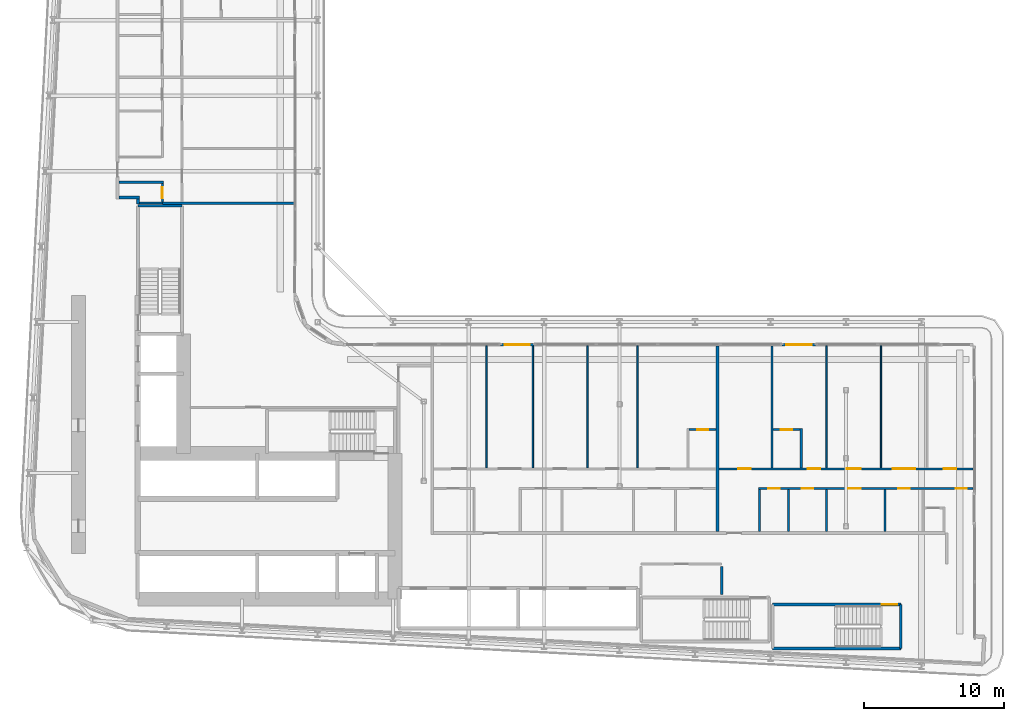
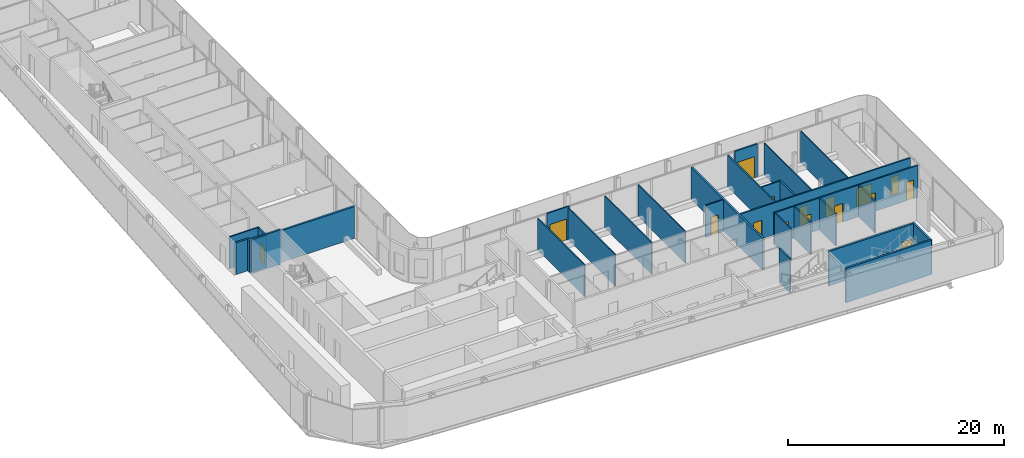
# One storey, part 15 of 27: 30 walls, 16 doors, 16 openings.
"""IFC4 building model written with IfcOpenShell, lengths in metres."""

import ifcopenshell
import ifcopenshell.guid

model = None  # the IFC model being written
_history = None  # IfcOwnerHistory: only IFC2X3 demands one
_inside = {}  # id of a spatial element -> (the spatial element, [elements in it])
_under = {}  # id of a project, library or spatial element -> (it, [spatial elements below it])
_declared = {}  # id of a project -> (the project, [libraries it declares])
_typed = {}  # id of a type object -> (the type object, [elements of that type])
_made_of = {}  # id of a material, layer set ... -> (it, [elements and type objects made of it])


def new_model(schema):
    """Start an empty IFC model of exactly this schema.

    Asked for "IFC4X3", IfcOpenShell would pick the latest addendum, in which some entities
    have other attributes; the version numbers below select the first issue.
    IFC2X3 requires an IfcOwnerHistory on every rooted entity: one is made here for all.
    """
    global model, _history
    if schema == "IFC4X3":
        model = ifcopenshell.file(schema_version=(4, 3, 0, 0))
    else:
        model = ifcopenshell.file(schema=schema)
    _inside.clear()
    _under.clear()
    _declared.clear()
    _typed.clear()
    _made_of.clear()
    _history = None
    if model.schema == "IFC2X3":
        org = make("IfcOrganization", Name="unknown")
        user = make(
            "IfcPersonAndOrganization",
            ThePerson=make("IfcPerson", FamilyName="unknown"),
            TheOrganization=org,
        )
        app = make(
            "IfcApplication",
            ApplicationDeveloper=org,
            Version="unknown",
            ApplicationFullName="unknown",
            ApplicationIdentifier="unknown",
        )
        _history = make(
            "IfcOwnerHistory",
            OwningUser=user,
            OwningApplication=app,
            ChangeAction="ADDED",
            CreationDate=0,
        )
    return model


def make(cls, **values):
    """One entity of the class cls with the attributes given. An attribute that is None is left unset."""
    return model.create_entity(
        cls, **{name: value for name, value in values.items() if value is not None}
    )


def rooted(cls, **values):
    """An entity with a GlobalId (a new one), such as an element, a storey or a relation."""
    return make(cls, GlobalId=ifcopenshell.guid.new(), OwnerHistory=_history, **values)


def si_unit(unit_type, name, prefix=None):
    """IfcSIUnit, for example si_unit("LENGTHUNIT", "METRE", prefix="MILLI")."""
    return make("IfcSIUnit", UnitType=unit_type, Prefix=prefix, Name=name)


def assignment(units):
    """IfcUnitAssignment: the units of a project."""
    return None if units is None else make("IfcUnitAssignment", Units=units)


def point(xyz):
    """IfcCartesianPoint."""
    return None if xyz is None else make("IfcCartesianPoint", Coordinates=xyz)


def direction(xyz):
    """IfcDirection."""
    return None if xyz is None else make("IfcDirection", DirectionRatios=xyz)


def frame(location, z_axis=None, x_axis=None):
    """IfcAxis2Placement3D, a coordinate frame: its origin and axes. An axis left out is left unset."""
    return make(
        "IfcAxis2Placement3D",
        Location=point(location),
        Axis=direction(z_axis),
        RefDirection=direction(x_axis),
    )


def frame_2d(location, x_axis=None):
    """IfcAxis2Placement2D, a coordinate frame in the plane: its origin and x axis."""
    return make(
        "IfcAxis2Placement2D", Location=point(location), RefDirection=direction(x_axis)
    )


def origin():
    """The frame at (0, 0, 0) with its axes left unset."""
    return frame((0.0, 0.0, 0.0))


def place(relative_to, where):
    """IfcLocalPlacement: puts the frame where relative to a parent placement (None: the world)."""
    return make(
        "IfcLocalPlacement", PlacementRelTo=relative_to, RelativePlacement=where
    )


def context(
    kind, dimensions, precision=None, world=None, true_north=None, identifier=None
):
    """IfcGeometricRepresentationContext, for example the 3D "Model" context."""
    return make(
        "IfcGeometricRepresentationContext",
        ContextIdentifier=identifier,
        ContextType=kind,
        CoordinateSpaceDimension=dimensions,
        Precision=precision,
        WorldCoordinateSystem=world,
        TrueNorth=true_north,
    )


def subcontext(parent, identifier, kind, view, scale=None):
    """IfcGeometricRepresentationSubContext, for example "Body" below "Model"."""
    return make(
        "IfcGeometricRepresentationSubContext",
        ContextIdentifier=identifier,
        ContextType=kind,
        ParentContext=parent,
        TargetScale=scale,
        TargetView=view,
    )


def project(units=None, contexts=None):
    """IfcProject with its units and contexts."""
    return rooted(
        "IfcProject",
        Name="project",
        RepresentationContexts=contexts,
        UnitsInContext=assignment(units),
    )


def spatial(cls, under=None, at=None, **own):
    """A site, building, storey or space (cls), placed at a placement, below another one or the project."""
    s = rooted(cls, ObjectPlacement=at, **own)
    if under is not None:
        _under.setdefault(under.id(), (under, []))[1].append(s)
    return s


def profile(cls, at=None, kind="AREA", **sizes):
    """A parametric profile (cls). Its sizes go by their IFC names, for example OverallWidth=200.0."""
    return make(cls, ProfileType=kind, Position=at, **sizes)


def rectangle(**sizes):
    """IfcRectangleProfileDef."""
    return profile("IfcRectangleProfileDef", **sizes)


def extrude(swept, where, along, depth):
    """IfcExtrudedAreaSolid: the profile swept, set in the frame where, extruded along a direction by depth."""
    return make(
        "IfcExtrudedAreaSolid",
        SweptArea=swept,
        Position=where,
        ExtrudedDirection=direction(along),
        Depth=depth,
    )


def shape(context_of_items, identifier, shape_type, items):
    """IfcShapeRepresentation: the items that make up one representation, for example the "Body"."""
    return make(
        "IfcShapeRepresentation",
        ContextOfItems=context_of_items,
        RepresentationIdentifier=identifier,
        RepresentationType=shape_type,
        Items=items,
    )


def source(mapping_origin, context_of_items, identifier, shape_type, items):
    """IfcRepresentationMap: a shape defined once, which mapped items show again and again."""
    return make(
        "IfcRepresentationMap",
        MappingOrigin=mapping_origin,
        MappedRepresentation=shape(context_of_items, identifier, shape_type, items),
    )


def transform(
    local_origin,
    x_axis=None,
    y_axis=None,
    z_axis=None,
    scale=None,
    scale2=None,
    scale3=None,
    uniform=True,
):
    """IfcCartesianTransformationOperator3D, or its non-uniform kind. x_axis, y_axis, z_axis: its Axis1, 2, 3."""
    if uniform:
        return make(
            "IfcCartesianTransformationOperator3D",
            Axis1=direction(x_axis),
            Axis2=direction(y_axis),
            LocalOrigin=point(local_origin),
            Scale=scale,
            Axis3=direction(z_axis),
        )
    return make(
        "IfcCartesianTransformationOperator3DnonUniform",
        Axis1=direction(x_axis),
        Axis2=direction(y_axis),
        LocalOrigin=point(local_origin),
        Scale=scale,
        Axis3=direction(z_axis),
        Scale2=scale2,
        Scale3=scale3,
    )


def mapped(mapping_source, mapping_target):
    """IfcMappedItem: shows the shape of a source again, moved by a transform."""
    return make(
        "IfcMappedItem", MappingSource=mapping_source, MappingTarget=mapping_target
    )


def material(Name=None, Category=None):
    """IfcMaterial."""
    return make("IfcMaterial", Name=Name, Category=Category)


def layer(
    of_material, thickness, ventilated=None, Name=None, Category=None, Priority=None
):
    """IfcMaterialLayer: one layer of a wall or slab, of a material (None: an air gap)."""
    return make(
        "IfcMaterialLayer",
        Material=of_material,
        LayerThickness=thickness,
        IsVentilated=ventilated,
        Name=Name,
        Category=Category,
        Priority=Priority,
    )


def layer_set(layers, Name=None):
    """IfcMaterialLayerSet."""
    return make("IfcMaterialLayerSet", MaterialLayers=layers, LayerSetName=Name)


def made_of(thing, what):
    """Note that an element or type object is made of a material, layer set ...; save() writes the relation."""
    if what is not None:
        _made_of.setdefault(what.id(), (what, []))[1].append(thing)
    return thing


def type_object(cls, material=None, **own):
    """A type object (cls), such as IfcWallType, which elements share."""
    return made_of(rooted(cls, **own), material)


def element(
    cls,
    number,
    at=None,
    inside=None,
    cuts=None,
    type_object=None,
    material=None,
    context=None,
    identifier="Body",
    shape_type=None,
    held_by="IfcProductDefinitionShape",
    body=None,
    shapes=None,
    **own,
):
    """One element of the class cls, such as IfcWall. Its Tag is "e" and its number.

    at: its placement. inside: the storey or other place that contains it. cuts: it is an
    opening in that element (IfcRelVoidsElement). A single representation is given by context,
    identifier, shape_type and body (its items); several are given by shapes. held_by: the class
    of the entity that holds the representations. save() writes the other relations.
    """
    e = rooted(cls, Tag="e%d" % number, ObjectPlacement=at, **own)
    if body is not None:
        shapes = [shape(context, identifier, shape_type, body)]
    if shapes is not None:
        e.Representation = make(held_by, Representations=shapes)
    if inside is not None:
        _inside.setdefault(inside.id(), (inside, []))[1].append(e)
    if cuts is not None:
        rooted(
            "IfcRelVoidsElement", RelatingBuildingElement=cuts, RelatedOpeningElement=e
        )
    if type_object is not None:
        _typed.setdefault(type_object.id(), (type_object, []))[1].append(e)
    return made_of(e, material)


def fill(opening, filler):
    """IfcRelFillsElement: the door or window that sits in an opening."""
    return rooted(
        "IfcRelFillsElement",
        RelatingOpeningElement=opening,
        RelatedBuildingElement=filler,
    )


def aggregate(whole, parts):
    """IfcRelAggregates: a whole, such as a stair, and the parts it consists of."""
    return rooted("IfcRelAggregates", RelatingObject=whole, RelatedObjects=parts)


def save(model, path):
    """Write the relations noted so far, then the file.

    IfcRelAggregates (storeys below a building ...), IfcRelContainedInSpatialStructure (elements
    in a storey), IfcRelDefinesByType, IfcRelAssociatesMaterial and IfcRelDeclares: one each for
    every whole, place, type object, material and project.
    """
    for whole, parts in _under.values():
        aggregate(whole, parts)
    for where, things in _inside.values():
        rooted(
            "IfcRelContainedInSpatialStructure",
            RelatedElements=things,
            RelatingStructure=where,
        )
    for kind, things in _typed.values():
        rooted("IfcRelDefinesByType", RelatedObjects=things, RelatingType=kind)
    for what, things in _made_of.values():
        rooted("IfcRelAssociatesMaterial", RelatedObjects=things, RelatingMaterial=what)
    for by, libraries in _declared.values():
        rooted("IfcRelDeclares", RelatingContext=by, RelatedDefinitions=libraries)
    model.write(path)


model = new_model("IFC4")

# Units and contexts
model_context = context("Model", 3, precision=1e-05, world=origin(), true_north=direction((0.0, 1.0)))
body_context = subcontext(model_context, "Body", "Model", "MODEL_VIEW")
ifc_project = project(units=[si_unit("LENGTHUNIT", "METRE"), si_unit("AREAUNIT", "SQUARE_METRE"), si_unit("VOLUMEUNIT", "CUBIC_METRE"), si_unit("PLANEANGLEUNIT", "RADIAN"), si_unit("MASSUNIT", "GRAM", prefix="KILO")], contexts=[model_context])

# Site, building, storey
site_placement = place(None, origin())
site = spatial("IfcSite", under=ifc_project, at=site_placement, CompositionType="ELEMENT")
building_placement = place(site_placement, origin())
building = spatial("IfcBuilding", under=site, at=building_placement, Name="Kheshtan School and Residences Tower", CompositionType="ELEMENT")
storey_placement = place(building_placement, frame((0.0, 0.0, 50.0)))
storey = spatial("IfcBuildingStorey", under=building, at=storey_placement, Name="L11", CompositionType="ELEMENT", Elevation=50.0)

# Walls
ifc_material_1 = material(Name="Gypsum board on steel studs with fire boards", Category="steel")
ifc_layer_1 = layer(ifc_material_1, 0.199951171875)
ifc_layer_set_1 = layer_set([ifc_layer_1], Name="Corridor wall 200")
wall_type_1 = type_object("IfcWallType", Name="Corridor wall 200", PredefinedType="PARTITIONING", material=ifc_layer_set_1)
wall_1_placement = place(storey_placement, frame((33.39990234375, 54.5, 0.0), z_axis=(0.0, 0.0, 1.0), x_axis=(1.0, 0.0, 0.0)))
element("IfcWall", 1, at=wall_1_placement, inside=storey, type_object=wall_type_1, Name="Partition L11-005", PredefinedType="PARTITIONING", context=body_context, shape_type="SweptSolid", body=[
    extrude(rectangle(XDim=1.4501953125, YDim=0.199951171875, at=frame_2d((0.72509765625, 0.0))), origin(), (0.0, 0.0, 1.0), 3.60009765625),
])
wall_2_placement = place(storey_placement, frame((34.75, 54.02490234375, 0.0), z_axis=(0.0, 0.0, 1.0), x_axis=(0.0, 1.0, 0.0)))
element("IfcWall", 2, at=wall_2_placement, inside=storey, type_object=wall_type_1, Name="Partition L11-020", PredefinedType="PARTITIONING", context=body_context, shape_type="SweptSolid", body=[
    extrude(rectangle(XDim=0.375, YDim=0.199951171875, at=frame_2d((0.1875, 0.0))), origin(), (0.0, 0.0, 1.0), 3.60009765625),
])

# Wall, opening, door
ifc_material_2 = material(Name="Aluminium frame wall with insulated infill", Category="aluminium")
ifc_layer_2 = layer(ifc_material_2, 0.14990234375)
ifc_layer_set_2 = layer_set([ifc_layer_2], Name="Glazing frame wall 150")
wall_type_2 = type_object("IfcWallType", Name="Glazing frame wall 150", PredefinedType="SOLIDWALL", material=ifc_layer_set_2)
wall_3_placement = place(storey_placement, frame((60.697021484375, 43.97509765625, 0.0), z_axis=(0.0, 0.0, 1.0), x_axis=(1.0, 0.0, 0.0)))
wall_3 = element("IfcWall", 3, at=wall_3_placement, inside=storey, type_object=wall_type_2, Name="Balcony door wall L11 12.2", PredefinedType="SOLIDWALL", context=body_context, shape_type="SweptSolid", body=[
    extrude(rectangle(XDim=2.39990234375, YDim=0.14990234375, at=frame_2d((1.199951171875, 0.0))), origin(), (0.0, 0.0, 1.0), 3.75),
])
opening_1_placement = place(wall_3_placement, frame((0.300048828125, 0.0, 0.0)))
opening_1 = element("IfcOpeningElement", 4, at=opening_1_placement, cuts=wall_3, Name="Opening BD", PredefinedType="OPENING", context=body_context, shape_type="SweptSolid", body=[
    extrude(rectangle(XDim=1.800048828125, YDim=2.39990234375, at=frame_2d((0.89990234375, 1.199951171875))), frame((0.0, 0.0849609375, 0.0), z_axis=(0.0, -1.0, 0.0), x_axis=(1.0, 0.0, 0.0)), (0.0, 0.0, 1.0), 0.169921875),
])
ifc_material_3 = material(Name="Clear low-e glass in thermally broken aluminium frame", Category="aluminium")
door_type_1 = type_object("IfcDoorType", Name="Balcony sliding door", OperationType="SLIDING_TO_LEFT", PredefinedType="DOOR", material=ifc_material_3)
shared_shape_1 = source(origin(), body_context, "Body", "SweptSolid", [
    extrude(rectangle(XDim=1.800048828125, YDim=2.39990234375, at=frame_2d((0.89990234375, 1.199951171875))), frame((0.0, 0.02490234375, 0.0), z_axis=(0.0, -1.0, 0.0), x_axis=(1.0, 0.0, 0.0)), (0.0, 0.0, 1.0), 0.050048828125),
])
door_1_placement = place(opening_1_placement, origin())
door_1 = element("IfcDoor", 5, at=door_1_placement, inside=storey, type_object=door_type_1, Name="Balcony door L11 12.2", OperationType="SLIDING_TO_LEFT", OverallHeight=2.39990234375, OverallWidth=1.800048828125, PredefinedType="DOOR", context=body_context, shape_type="MappedRepresentation", body=[
    mapped(shared_shape_1, transform((0.0, 0.0, 0.0), x_axis=(1.0, 0.0, 0.0), y_axis=(0.0, 1.0, 0.0), z_axis=(0.0, 0.0, 1.0), scale=1.0)),
])
fill(opening_1, door_1)

wall_4_placement = place(storey_placement, frame((80.83203125, 43.97509765625, 0.0), z_axis=(0.0, 0.0, 1.0), x_axis=(1.0, 0.0, 0.0)))
wall_4 = element("IfcWall", 6, at=wall_4_placement, inside=storey, type_object=wall_type_2, Name="Balcony door wall L11 12.3", PredefinedType="SOLIDWALL", context=body_context, shape_type="SweptSolid", body=[
    extrude(rectangle(XDim=2.40087890625, YDim=0.14990234375, at=frame_2d((1.200439453125, 0.0))), origin(), (0.0, 0.0, 1.0), 3.75),
])
opening_2_placement = place(wall_4_placement, frame((0.300048828125, 0.0, 0.0)))
opening_2 = element("IfcOpeningElement", 7, at=opening_2_placement, cuts=wall_4, Name="Opening BD", PredefinedType="OPENING", context=body_context, shape_type="SweptSolid", body=[
    extrude(rectangle(XDim=1.800048828125, YDim=2.39990234375, at=frame_2d((0.89990234375, 1.199951171875))), frame((0.0, 0.0849609375, 0.0), z_axis=(0.0, -1.0, 0.0), x_axis=(1.0, 0.0, 0.0)), (0.0, 0.0, 1.0), 0.169921875),
])
door_2_placement = place(opening_2_placement, origin())
door_2 = element("IfcDoor", 8, at=door_2_placement, inside=storey, type_object=door_type_1, Name="Balcony door L11 12.3", OperationType="SLIDING_TO_LEFT", OverallHeight=2.39990234375, OverallWidth=1.800048828125, PredefinedType="DOOR", context=body_context, shape_type="MappedRepresentation", body=[
    mapped(shared_shape_1, transform((0.0, 0.0, 0.0), x_axis=(1.0, 0.0, 0.0), y_axis=(0.0, 1.0, 0.0), z_axis=(0.0, 0.0, 1.0), scale=1.0)),
])
fill(opening_2, door_2)

# Walls
ifc_material_4 = material(Name="Gypsum board on steel studs", Category="steel")
ifc_layer_3 = layer(ifc_material_4, 0.10009765625)
ifc_layer_set_3 = layer_set([ifc_layer_3], Name="Gypsum partition 100")
wall_type_3 = type_object("IfcWallType", Name="Gypsum partition 100", PredefinedType="PARTITIONING", material=ifc_layer_set_3)
for number, where, z_axis, x_axis, name in (
    (9, (59.699951171875, 35.175048828125, 0.0), (0.0, 0.0, 1.0), (0.0, 1.0, 0.0), "Partition L11-052"),
    (10, (63.0, 35.175048828125, 0.0), (0.0, 0.0, 1.0), (0.0, 1.0, 0.0), "Partition L11-055"),
    (11, (66.89990234375, 35.175048828125, 0.0), (0.0, 0.0, 1.0), (0.0, 1.0, 0.0), "Partition L11-057"),
    (12, (70.5, 35.175048828125, 0.0), (0.0, 0.0, 1.0), (0.0, 1.0, 0.0), "Partition L11-059"),
    (13, (84.0, 35.175048828125, 0.0), (0.0, 0.0, 1.0), (0.0, 1.0, 0.0), "Partition L11-072"),
    (14, (87.89990234375, 35.175048828125, 0.0), (0.0, 0.0, 1.0), (0.0, 1.0, 0.0), "Partition L11-073"),
):
    element("IfcWall", number, at=place(storey_placement, frame(where, z_axis=z_axis, x_axis=x_axis)), inside=storey, type_object=wall_type_3, Name=name, PredefinedType="PARTITIONING", context=body_context, shape_type="SweptSolid", body=[
        extrude(rectangle(XDim=8.724853515625, YDim=0.10009765625, at=frame_2d((4.3623046875, 0.0))), origin(), (0.0, 0.0, 1.0), 3.60009765625),
    ])
ifc_material_5 = material(Name="Fire-board shaft wall system")
ifc_layer_4 = layer(ifc_material_5, 0.14990234375)
ifc_layer_set_4 = layer_set([ifc_layer_4], Name="Service room wall 150")
wall_type_4 = type_object("IfcWallType", Name="Service room wall 150", PredefinedType="PARTITIONING", material=ifc_layer_set_4)
wall_5_placement = place(storey_placement, frame((76.510009765625, 26.1201171875, 0.0), z_axis=(0.0, 0.0, 1.0), x_axis=(0.0, 1.0, 0.0)))
element("IfcWall", 15, at=wall_5_placement, inside=storey, type_object=wall_type_4, Name="Service room wall", PredefinedType="PARTITIONING", context=body_context, shape_type="SweptSolid", body=[
    extrude(rectangle(XDim=1.98486328125, YDim=0.14990234375, at=frame_2d((0.992431640625, 0.0))), origin(), (0.0, 0.0, 1.0), 3.89990234375),
])
ifc_material_6 = material(Name="Concrete C40/50", Category="concrete")
ifc_layer_5 = layer(ifc_material_6, 0.199951171875)
ifc_layer_set_5 = layer_set([ifc_layer_5], Name="Stair enclosure wall 200 Concrete C40/50")
wall_type_5 = type_object("IfcWallType", Name="Stair enclosure wall 200 Concrete C40/50", PredefinedType="SHEAR", material=ifc_layer_set_5)
wall_6_placement = place(storey_placement, frame((34.75, 53.909912109375, 0.0), z_axis=(0.0, 0.0, 1.0), x_axis=(1.0, 0.0, 0.0)))
element("IfcWall", 16, at=wall_6_placement, inside=storey, type_object=wall_type_5, Name="Stair enclosure wall ST2", PredefinedType="SHEAR", context=body_context, shape_type="SweptSolid", body=[
    extrude(rectangle(XDim=3.14990234375, YDim=0.199951171875, at=frame_2d((1.574951171875, 0.0))), origin(), (0.0, 0.0, 1.0), 3.89990234375),
])
wall_7_placement = place(storey_placement, frame((80.159912109375, 22.25, 0.0), z_axis=(0.0, 0.0, 1.0), x_axis=(1.0, 0.0, 0.0)))
element("IfcWall", 17, at=wall_7_placement, inside=storey, type_object=wall_type_5, Name="Stair enclosure wall ST4", PredefinedType="SHEAR", context=body_context, shape_type="SweptSolid", body=[
    extrude(rectangle(XDim=9.16015625, YDim=0.199951171875, at=frame_2d((4.580078125, 0.0))), origin(), (0.0, 0.0, 1.0), 3.89990234375),
])

# Wall, opening, door
wall_8_placement = place(storey_placement, frame((80.159912109375, 25.39990234375, 0.0), z_axis=(0.0, 0.0, 1.0), x_axis=(1.0, 0.0, 0.0)))
wall_8 = element("IfcWall", 18, at=wall_8_placement, inside=storey, type_object=wall_type_5, Name="Stair enclosure wall ST4", PredefinedType="SHEAR", context=body_context, shape_type="SweptSolid", body=[
    extrude(rectangle(XDim=9.16015625, YDim=0.199951171875, at=frame_2d((4.580078125, 0.0))), origin(), (0.0, 0.0, 1.0), 3.89990234375),
])
opening_3_placement = place(wall_8_placement, frame((7.81005859375, 0.0, 0.0)))
opening_3 = element("IfcOpeningElement", 19, at=opening_3_placement, cuts=wall_8, Name="Opening ST4D", PredefinedType="OPENING", context=body_context, shape_type="SweptSolid", body=[
    extrude(rectangle(XDim=1.10009765625, YDim=2.199951171875, at=frame_2d((0.550048828125, 1.10009765625))), frame((0.0, 0.10986328125, 0.0), z_axis=(0.0, -1.0, 0.0), x_axis=(1.0, 0.0, 0.0)), (0.0, 0.0, 1.0), 0.219970703125),
])
ifc_material_7 = material(Name="Steel door leaf, galvanised", Category="steel")
door_type_2 = type_object("IfcDoorType", Name="Stair door 1100 steel 90 min", OperationType="SINGLE_SWING_LEFT", PredefinedType="DOOR", material=ifc_material_7)
shared_shape_2 = source(origin(), body_context, "Body", "SweptSolid", [
    extrude(rectangle(XDim=1.10009765625, YDim=2.199951171875, at=frame_2d((0.550048828125, 1.10009765625))), frame((0.0, 0.02490234375, 0.0), z_axis=(0.0, -1.0, 0.0), x_axis=(1.0, 0.0, 0.0)), (0.0, 0.0, 1.0), 0.050048828125),
])
door_3_placement = place(opening_3_placement, origin())
door_3 = element("IfcDoor", 20, at=door_3_placement, inside=storey, type_object=door_type_2, Name="Stair ST4 door", OperationType="SINGLE_SWING_LEFT", OverallHeight=2.199951171875, OverallWidth=1.10009765625, PredefinedType="DOOR", context=body_context, shape_type="MappedRepresentation", body=[
    mapped(shared_shape_2, transform((0.0, 0.0, 0.0), x_axis=(1.0, 0.0, 0.0), y_axis=(0.0, 1.0, 0.0), z_axis=(0.0, 0.0, 1.0), scale=1.0)),
])
fill(opening_3, door_3)

# Walls
wall_9_placement = place(storey_placement, frame((89.320068359375, 22.25, 0.0), z_axis=(0.0, 0.0, 1.0), x_axis=(0.0, 1.0, 0.0)))
element("IfcWall", 21, at=wall_9_placement, inside=storey, type_object=wall_type_5, Name="Stair enclosure wall ST4", PredefinedType="SHEAR", context=body_context, shape_type="SweptSolid", body=[
    extrude(rectangle(XDim=3.14990234375, YDim=0.199951171875, at=frame_2d((1.574951171875, 0.0))), origin(), (0.0, 0.0, 1.0), 3.89990234375),
])
ifc_material_8 = material(Name="Twin gypsum board on steel studs with mineral wool", Category="steel")
ifc_layer_6 = layer(ifc_material_8, 0.199951171875)
ifc_layer_set_6 = layer_set([ifc_layer_6], Name="Unit demising wall 200")
wall_type_6 = type_object("IfcWallType", Name="Unit demising wall 200", PredefinedType="PARTITIONING", material=ifc_layer_set_6)
wall_10_placement = place(storey_placement, frame((36.5, 54.10009765625, 0.0), z_axis=(0.0, 0.0, 1.0), x_axis=(1.0, 0.0, 0.0)))
element("IfcWall", 22, at=wall_10_placement, inside=storey, type_object=wall_type_6, Name="Partition L11-024", PredefinedType="PARTITIONING", context=body_context, shape_type="SweptSolid", body=[
    extrude(rectangle(XDim=9.39990234375, YDim=0.199951171875, at=frame_2d((4.699951171875, 0.0))), origin(), (0.0, 0.0, 1.0), 3.60009765625),
])
wall_11_placement = place(storey_placement, frame((76.199951171875, 30.60009765625, 0.0), z_axis=(0.0, 0.0, 1.0), x_axis=(0.0, 1.0, 0.0)))
element("IfcWall", 23, at=wall_11_placement, inside=storey, type_object=wall_type_6, Name="Partition L11-063", PredefinedType="PARTITIONING", context=body_context, shape_type="SweptSolid", body=[
    extrude(rectangle(XDim=13.2998046875, YDim=0.199951171875, at=frame_2d((6.64990234375, 0.0))), origin(), (0.0, 0.0, 1.0), 3.60009765625),
])
ifc_material_9 = material(Name="Moisture-resistant gypsum board on steel studs", Category="steel")
ifc_layer_7 = layer(ifc_material_9, 0.14990234375)
ifc_layer_set_7 = layer_set([ifc_layer_7], Name="Wet-room partition 150")
wall_type_7 = type_object("IfcWallType", Name="Wet-room partition 150", PredefinedType="PARTITIONING", material=ifc_layer_set_7)
wall_12_placement = place(storey_placement, frame((33.39990234375, 55.60009765625, 0.0), z_axis=(0.0, 0.0, 1.0), x_axis=(1.0, 0.0, 0.0)))
element("IfcWall", 24, at=wall_12_placement, inside=storey, type_object=wall_type_7, Name="Partition L11-006", PredefinedType="PARTITIONING", context=body_context, shape_type="SweptSolid", body=[
    extrude(rectangle(XDim=3.175048828125, YDim=0.14990234375, at=frame_2d((1.58740234375, 0.0))), origin(), (0.0, 0.0, 1.0), 3.60009765625),
])
wall_13_placement = place(storey_placement, frame((34.85009765625, 54.10009765625, 0.0), z_axis=(0.0, 0.0, 1.0), x_axis=(1.0, 0.0, 0.0)))
element("IfcWall", 25, at=wall_13_placement, inside=storey, type_object=wall_type_7, Name="Partition L11-021", PredefinedType="PARTITIONING", context=body_context, shape_type="SweptSolid", body=[
    extrude(rectangle(XDim=1.64990234375, YDim=0.14990234375, at=frame_2d((0.824951171875, 0.0))), origin(), (0.0, 0.0, 1.0), 3.60009765625),
])

# Wall, opening, door
wall_14_placement = place(storey_placement, frame((36.5, 54.199951171875, 0.0), z_axis=(0.0, 0.0, 1.0), x_axis=(0.0, 1.0, 0.0)))
wall_14 = element("IfcWall", 26, at=wall_14_placement, inside=storey, type_object=wall_type_7, Name="Partition L11-025", PredefinedType="PARTITIONING", context=body_context, shape_type="SweptSolid", body=[
    extrude(rectangle(XDim=1.324951171875, YDim=0.14990234375, at=frame_2d((0.66259765625, 0.0))), origin(), (0.0, 0.0, 1.0), 3.60009765625),
])
opening_4_placement = place(wall_14_placement, frame((0.25, 0.0, 0.0)))
opening_4 = element("IfcOpeningElement", 27, at=opening_4_placement, cuts=wall_14, Name="Opening D10-031", PredefinedType="OPENING", context=body_context, shape_type="SweptSolid", body=[
    extrude(rectangle(XDim=0.800048828125, YDim=2.10009765625, at=frame_2d((0.39990234375, 1.050048828125))), frame((0.0, 0.0849609375, 0.0), z_axis=(0.0, -1.0, 0.0), x_axis=(1.0, 0.0, 0.0)), (0.0, 0.0, 1.0), 0.169921875),
])
ifc_material_10 = material(Name="Veneered timber door leaf", Category="wood")
door_type_3 = type_object("IfcDoorType", Name="Door 800 x 2100", OperationType="SINGLE_SWING_LEFT", PredefinedType="DOOR", material=ifc_material_10)
shared_shape_3 = source(origin(), body_context, "Body", "SweptSolid", [
    extrude(rectangle(XDim=0.800048828125, YDim=2.10009765625, at=frame_2d((0.39990234375, 1.050048828125))), frame((0.0, 0.02490234375, 0.0), z_axis=(0.0, -1.0, 0.0), x_axis=(1.0, 0.0, 0.0)), (0.0, 0.0, 1.0), 0.050048828125),
])
door_4_placement = place(opening_4_placement, origin())
door_4 = element("IfcDoor", 28, at=door_4_placement, inside=storey, type_object=door_type_3, Name="Door D10-031", OperationType="SINGLE_SWING_RIGHT", OverallHeight=2.10009765625, OverallWidth=0.800048828125, PredefinedType="DOOR", context=body_context, shape_type="MappedRepresentation", body=[
    mapped(shared_shape_3, transform((0.0, 0.0, 0.0), x_axis=(1.0, 0.0, 0.0), y_axis=(0.0, 1.0, 0.0), z_axis=(0.0, 0.0, 1.0), scale=1.0)),
])
fill(opening_4, door_4)

wall_15_placement = place(storey_placement, frame((74.175048828125, 37.89990234375, 0.0), z_axis=(0.0, 0.0, 1.0), x_axis=(1.0, 0.0, 0.0)))
wall_15 = element("IfcWall", 29, at=wall_15_placement, inside=storey, type_object=wall_type_7, Name="Partition L11-062", PredefinedType="PARTITIONING", context=body_context, shape_type="SweptSolid", body=[
    extrude(rectangle(XDim=1.925048828125, YDim=0.14990234375, at=frame_2d((0.96240234375, 0.0))), origin(), (0.0, 0.0, 1.0), 3.60009765625),
])
opening_5_placement = place(wall_15_placement, frame((0.574951171875, 0.0, 0.0)))
opening_5 = element("IfcOpeningElement", 30, at=opening_5_placement, cuts=wall_15, Name="Opening D10-006", PredefinedType="OPENING", context=body_context, shape_type="SweptSolid", body=[
    extrude(rectangle(XDim=0.800048828125, YDim=2.10009765625, at=frame_2d((0.39990234375, 1.050048828125))), frame((0.0, 0.0849609375, 0.0), z_axis=(0.0, -1.0, 0.0), x_axis=(1.0, 0.0, 0.0)), (0.0, 0.0, 1.0), 0.169921875),
])
door_5_placement = place(opening_5_placement, origin())
door_5 = element("IfcDoor", 31, at=door_5_placement, inside=storey, type_object=door_type_3, Name="Door D10-006", OperationType="SINGLE_SWING_LEFT", OverallHeight=2.10009765625, OverallWidth=0.800048828125, PredefinedType="DOOR", context=body_context, shape_type="MappedRepresentation", body=[
    mapped(shared_shape_3, transform((0.0, 0.0, 0.0), x_axis=(1.0, 0.0, 0.0), y_axis=(0.0, 1.0, 0.0), z_axis=(0.0, 0.0, 1.0), scale=1.0)),
])
fill(opening_5, door_5)

# Wall, openings, doors
wall_16_placement = place(storey_placement, frame((76.300048828125, 35.10009765625, 0.0), z_axis=(0.0, 0.0, 1.0), x_axis=(1.0, 0.0, 0.0)))
wall_16 = element("IfcWall", 32, at=wall_16_placement, inside=storey, type_object=wall_type_7, Name="Partition L11-064", PredefinedType="PARTITIONING", context=body_context, shape_type="SweptSolid", body=[
    extrude(rectangle(XDim=18.199951171875, YDim=0.14990234375, at=frame_2d((9.10009765625, 0.0))), origin(), (0.0, 0.0, 1.0), 3.60009765625),
])
opening_6_placement = place(wall_16_placement, frame((1.39990234375, 0.0, 0.0)))
opening_6 = element("IfcOpeningElement", 33, at=opening_6_placement, cuts=wall_16, Name="Opening D10-015", PredefinedType="OPENING", context=body_context, shape_type="SweptSolid", body=[
    extrude(rectangle(XDim=0.89990234375, YDim=2.10009765625, at=frame_2d((0.449951171875, 1.050048828125))), frame((0.0, 0.0849609375, 0.0), z_axis=(0.0, -1.0, 0.0), x_axis=(1.0, 0.0, 0.0)), (0.0, 0.0, 1.0), 0.169921875),
])
opening_7_placement = place(wall_16_placement, frame((16.10009765625, 0.0, 0.0)))
opening_7 = element("IfcOpeningElement", 34, at=opening_7_placement, cuts=wall_16, Name="Opening D10-016", PredefinedType="OPENING", context=body_context, shape_type="SweptSolid", body=[
    extrude(rectangle(XDim=0.89990234375, YDim=2.10009765625, at=frame_2d((0.449951171875, 1.050048828125))), frame((0.0, 0.0849609375, 0.0), z_axis=(0.0, -1.0, 0.0), x_axis=(1.0, 0.0, 0.0)), (0.0, 0.0, 1.0), 0.169921875),
])
opening_8_placement = place(wall_16_placement, frame((9.14990234375, 0.0, 0.0)))
opening_8 = element("IfcOpeningElement", 35, at=opening_8_placement, cuts=wall_16, Name="Opening D10-020", PredefinedType="OPENING", context=body_context, shape_type="SweptSolid", body=[
    extrude(rectangle(XDim=1.0, YDim=2.10009765625, at=frame_2d((0.5, 1.050048828125))), frame((0.0, 0.0849609375, 0.0), z_axis=(0.0, -1.0, 0.0), x_axis=(1.0, 0.0, 0.0)), (0.0, 0.0, 1.0), 0.169921875),
])
opening_9_placement = place(wall_16_placement, frame((12.449951171875, 0.0, 0.0)))
opening_9 = element("IfcOpeningElement", 36, at=opening_9_placement, cuts=wall_16, Name="Opening D10-023", PredefinedType="OPENING", context=body_context, shape_type="SweptSolid", body=[
    extrude(rectangle(XDim=1.60009765625, YDim=2.10009765625, at=frame_2d((0.800048828125, 1.050048828125))), frame((0.0, 0.0849609375, 0.0), z_axis=(0.0, -1.0, 0.0), x_axis=(1.0, 0.0, 0.0)), (0.0, 0.0, 1.0), 0.169921875),
])
opening_10_placement = place(wall_16_placement, frame((6.35009765625, 0.0, 0.0)))
opening_10 = element("IfcOpeningElement", 37, at=opening_10_placement, cuts=wall_16, Name="Opening D10-024", PredefinedType="OPENING", context=body_context, shape_type="SweptSolid", body=[
    extrude(rectangle(XDim=0.89990234375, YDim=2.10009765625, at=frame_2d((0.449951171875, 1.050048828125))), frame((0.0, 0.0849609375, 0.0), z_axis=(0.0, -1.0, 0.0), x_axis=(1.0, 0.0, 0.0)), (0.0, 0.0, 1.0), 0.169921875),
])
door_type_4 = type_object("IfcDoorType", Name="Door 1000 x 2100", OperationType="SINGLE_SWING_LEFT", PredefinedType="DOOR", material=ifc_material_10)
shared_shape_4 = source(origin(), body_context, "Body", "SweptSolid", [
    extrude(rectangle(XDim=1.0, YDim=2.10009765625, at=frame_2d((0.5, 1.050048828125))), frame((0.0, 0.02490234375, 0.0), z_axis=(0.0, -1.0, 0.0), x_axis=(1.0, 0.0, 0.0)), (0.0, 0.0, 1.0), 0.050048828125),
])
door_6_placement = place(opening_8_placement, origin())
door_6 = element("IfcDoor", 38, at=door_6_placement, inside=storey, type_object=door_type_4, Name="Door D10-020", OperationType="SINGLE_SWING_LEFT", OverallHeight=2.10009765625, OverallWidth=1.0, PredefinedType="DOOR", context=body_context, shape_type="MappedRepresentation", body=[
    mapped(shared_shape_4, transform((0.0, 0.0, 0.0), x_axis=(1.0, 0.0, 0.0), y_axis=(0.0, 1.0, 0.0), z_axis=(0.0, 0.0, 1.0), scale=1.0)),
])
fill(opening_8, door_6)
door_type_5 = type_object("IfcDoorType", Name="Door 900 x 2100", OperationType="SINGLE_SWING_LEFT", PredefinedType="DOOR", material=ifc_material_10)
shared_shape_5 = source(origin(), body_context, "Body", "SweptSolid", [
    extrude(rectangle(XDim=0.89990234375, YDim=2.10009765625, at=frame_2d((0.449951171875, 1.050048828125))), frame((0.0, 0.02490234375, 0.0), z_axis=(0.0, -1.0, 0.0), x_axis=(1.0, 0.0, 0.0)), (0.0, 0.0, 1.0), 0.050048828125),
])
door_7_placement = place(opening_6_placement, origin())
door_7 = element("IfcDoor", 39, at=door_7_placement, inside=storey, type_object=door_type_5, Name="Door D10-015", OperationType="SINGLE_SWING_RIGHT", OverallHeight=2.10009765625, OverallWidth=0.89990234375, PredefinedType="DOOR", context=body_context, shape_type="MappedRepresentation", body=[
    mapped(shared_shape_5, transform((0.0, 0.0, 0.0), x_axis=(1.0, 0.0, 0.0), y_axis=(0.0, 1.0, 0.0), z_axis=(0.0, 0.0, 1.0), scale=1.0)),
])
fill(opening_6, door_7)
door_8_placement = place(opening_7_placement, origin())
door_8 = element("IfcDoor", 40, at=door_8_placement, inside=storey, type_object=door_type_5, Name="Door D10-016", OperationType="SINGLE_SWING_LEFT", OverallHeight=2.10009765625, OverallWidth=0.89990234375, PredefinedType="DOOR", context=body_context, shape_type="MappedRepresentation", body=[
    mapped(shared_shape_5, transform((0.0, 0.0, 0.0), x_axis=(1.0, 0.0, 0.0), y_axis=(0.0, 1.0, 0.0), z_axis=(0.0, 0.0, 1.0), scale=1.0)),
])
fill(opening_7, door_8)
door_9_placement = place(opening_10_placement, origin())
door_9 = element("IfcDoor", 41, at=door_9_placement, inside=storey, type_object=door_type_5, Name="Door D10-024", OperationType="SINGLE_SWING_RIGHT", OverallHeight=2.10009765625, OverallWidth=0.89990234375, PredefinedType="DOOR", context=body_context, shape_type="MappedRepresentation", body=[
    mapped(shared_shape_5, transform((0.0, 0.0, 0.0), x_axis=(1.0, 0.0, 0.0), y_axis=(0.0, 1.0, 0.0), z_axis=(0.0, 0.0, 1.0), scale=1.0)),
])
fill(opening_10, door_9)
door_type_6 = type_object("IfcDoorType", Name="Double door 1600 x 2100", OperationType="DOUBLE_DOOR_SINGLE_SWING", PredefinedType="DOOR", material=ifc_material_10)
shared_shape_6 = source(origin(), body_context, "Body", "SweptSolid", [
    extrude(rectangle(XDim=1.60009765625, YDim=2.10009765625, at=frame_2d((0.800048828125, 1.050048828125))), frame((0.0, 0.02490234375, 0.0), z_axis=(0.0, -1.0, 0.0), x_axis=(1.0, 0.0, 0.0)), (0.0, 0.0, 1.0), 0.050048828125),
])
door_10_placement = place(opening_9_placement, origin())
door_10 = element("IfcDoor", 42, at=door_10_placement, inside=storey, type_object=door_type_6, Name="Door D10-023", OperationType="DOUBLE_DOOR_SINGLE_SWING", OverallHeight=2.10009765625, OverallWidth=1.60009765625, PredefinedType="DOOR", context=body_context, shape_type="MappedRepresentation", body=[
    mapped(shared_shape_6, transform((0.0, 0.0, 0.0), x_axis=(1.0, 0.0, 0.0), y_axis=(0.0, 1.0, 0.0), z_axis=(0.0, 0.0, 1.0), scale=1.0)),
])
fill(opening_9, door_10)

wall_17_placement = place(storey_placement, frame((79.125, 33.699951171875, 0.0), z_axis=(0.0, 0.0, 1.0), x_axis=(1.0, 0.0, 0.0)))
wall_17 = element("IfcWall", 43, at=wall_17_placement, inside=storey, type_object=wall_type_7, Name="Partition L11-065", PredefinedType="PARTITIONING", context=body_context, shape_type="SweptSolid", body=[
    extrude(rectangle(XDim=15.375, YDim=0.14990234375, at=frame_2d((7.6875, 0.0))), origin(), (0.0, 0.0, 1.0), 3.60009765625),
])
opening_11_placement = place(wall_17_placement, frame((3.125, 0.0, 0.0)))
opening_11 = element("IfcOpeningElement", 44, at=opening_11_placement, cuts=wall_17, Name="Opening D10-013", PredefinedType="OPENING", context=body_context, shape_type="SweptSolid", body=[
    extrude(rectangle(XDim=0.800048828125, YDim=2.10009765625, at=frame_2d((0.39990234375, 1.050048828125))), frame((0.0, 0.0849609375, 0.0), z_axis=(0.0, -1.0, 0.0), x_axis=(1.0, 0.0, 0.0)), (0.0, 0.0, 1.0), 0.169921875),
])
opening_12_placement = place(wall_17_placement, frame((10.02490234375, 0.0, 0.0)))
opening_12 = element("IfcOpeningElement", 45, at=opening_12_placement, cuts=wall_17, Name="Opening D10-014", PredefinedType="OPENING", context=body_context, shape_type="SweptSolid", body=[
    extrude(rectangle(XDim=0.800048828125, YDim=2.10009765625, at=frame_2d((0.39990234375, 1.050048828125))), frame((0.0, 0.0849609375, 0.0), z_axis=(0.0, -1.0, 0.0), x_axis=(1.0, 0.0, 0.0)), (0.0, 0.0, 1.0), 0.169921875),
])
opening_13_placement = place(wall_17_placement, frame((6.425048828125, 0.0, 0.0)))
opening_13 = element("IfcOpeningElement", 46, at=opening_13_placement, cuts=wall_17, Name="Opening D10-019", PredefinedType="OPENING", context=body_context, shape_type="SweptSolid", body=[
    extrude(rectangle(XDim=0.89990234375, YDim=2.10009765625, at=frame_2d((0.449951171875, 1.050048828125))), frame((0.0, 0.0849609375, 0.0), z_axis=(0.0, -1.0, 0.0), x_axis=(1.0, 0.0, 0.0)), (0.0, 0.0, 1.0), 0.169921875),
])
opening_14_placement = place(wall_17_placement, frame((14.125, 0.0, 0.0)))
opening_14 = element("IfcOpeningElement", 47, at=opening_14_placement, cuts=wall_17, Name="Opening D10-021", PredefinedType="OPENING", context=body_context, shape_type="SweptSolid", body=[
    extrude(rectangle(XDim=0.800048828125, YDim=2.10009765625, at=frame_2d((0.39990234375, 1.050048828125))), frame((0.0, 0.0849609375, 0.0), z_axis=(0.0, -1.0, 0.0), x_axis=(1.0, 0.0, 0.0)), (0.0, 0.0, 1.0), 0.169921875),
])
opening_15_placement = place(wall_17_placement, frame((0.72509765625, 0.0, 0.0)))
opening_15 = element("IfcOpeningElement", 48, at=opening_15_placement, cuts=wall_17, Name="Opening D10-025", PredefinedType="OPENING", context=body_context, shape_type="SweptSolid", body=[
    extrude(rectangle(XDim=0.800048828125, YDim=2.10009765625, at=frame_2d((0.39990234375, 1.050048828125))), frame((0.0, 0.0849609375, 0.0), z_axis=(0.0, -1.0, 0.0), x_axis=(1.0, 0.0, 0.0)), (0.0, 0.0, 1.0), 0.169921875),
])
door_11_placement = place(opening_11_placement, origin())
door_11 = element("IfcDoor", 49, at=door_11_placement, inside=storey, type_object=door_type_3, Name="Door D10-013", OperationType="SINGLE_SWING_RIGHT", OverallHeight=2.10009765625, OverallWidth=0.800048828125, PredefinedType="DOOR", context=body_context, shape_type="MappedRepresentation", body=[
    mapped(shared_shape_3, transform((0.0, 0.0, 0.0), x_axis=(1.0, 0.0, 0.0), y_axis=(0.0, 1.0, 0.0), z_axis=(0.0, 0.0, 1.0), scale=1.0)),
])
fill(opening_11, door_11)
door_12_placement = place(opening_12_placement, origin())
door_12 = element("IfcDoor", 50, at=door_12_placement, inside=storey, type_object=door_type_3, Name="Door D10-014", OperationType="SINGLE_SWING_LEFT", OverallHeight=2.10009765625, OverallWidth=0.800048828125, PredefinedType="DOOR", context=body_context, shape_type="MappedRepresentation", body=[
    mapped(shared_shape_3, transform((0.0, 0.0, 0.0), x_axis=(1.0, 0.0, 0.0), y_axis=(0.0, 1.0, 0.0), z_axis=(0.0, 0.0, 1.0), scale=1.0)),
])
fill(opening_12, door_12)
door_13_placement = place(opening_14_placement, origin())
door_13 = element("IfcDoor", 51, at=door_13_placement, inside=storey, type_object=door_type_3, Name="Door D10-021", OperationType="SINGLE_SWING_RIGHT", OverallHeight=2.10009765625, OverallWidth=0.800048828125, PredefinedType="DOOR", context=body_context, shape_type="MappedRepresentation", body=[
    mapped(shared_shape_3, transform((0.0, 0.0, 0.0), x_axis=(1.0, 0.0, 0.0), y_axis=(0.0, 1.0, 0.0), z_axis=(0.0, 0.0, 1.0), scale=1.0)),
])
fill(opening_14, door_13)
door_14_placement = place(opening_15_placement, origin())
door_14 = element("IfcDoor", 52, at=door_14_placement, inside=storey, type_object=door_type_3, Name="Door D10-025", OperationType="SINGLE_SWING_RIGHT", OverallHeight=2.10009765625, OverallWidth=0.800048828125, PredefinedType="DOOR", context=body_context, shape_type="MappedRepresentation", body=[
    mapped(shared_shape_3, transform((0.0, 0.0, 0.0), x_axis=(1.0, 0.0, 0.0), y_axis=(0.0, 1.0, 0.0), z_axis=(0.0, 0.0, 1.0), scale=1.0)),
])
fill(opening_15, door_14)
door_15_placement = place(opening_13_placement, origin())
door_15 = element("IfcDoor", 53, at=door_15_placement, inside=storey, type_object=door_type_5, Name="Door D10-019", OperationType="SINGLE_SWING_LEFT", OverallHeight=2.10009765625, OverallWidth=0.89990234375, PredefinedType="DOOR", context=body_context, shape_type="MappedRepresentation", body=[
    mapped(shared_shape_5, transform((0.0, 0.0, 0.0), x_axis=(1.0, 0.0, 0.0), y_axis=(0.0, 1.0, 0.0), z_axis=(0.0, 0.0, 1.0), scale=1.0)),
])
fill(opening_13, door_15)

# Walls
wall_18_placement = place(storey_placement, frame((79.199951171875, 30.60009765625, 0.0), z_axis=(0.0, 0.0, 1.0), x_axis=(0.0, 1.0, 0.0)))
element("IfcWall", 54, at=wall_18_placement, inside=storey, type_object=wall_type_7, Name="Partition L11-066", PredefinedType="PARTITIONING", context=body_context, shape_type="SweptSolid", body=[
    extrude(rectangle(XDim=3.02490234375, YDim=0.14990234375, at=frame_2d((1.512451171875, 0.0))), origin(), (0.0, 0.0, 1.0), 3.60009765625),
])
wall_19_placement = place(storey_placement, frame((80.10009765625, 35.175048828125, 0.0), z_axis=(0.0, 0.0, 1.0), x_axis=(0.0, 1.0, 0.0)))
element("IfcWall", 55, at=wall_19_placement, inside=storey, type_object=wall_type_7, Name="Partition L11-067", PredefinedType="PARTITIONING", context=body_context, shape_type="SweptSolid", body=[
    extrude(rectangle(XDim=8.724853515625, YDim=0.14990234375, at=frame_2d((4.3623046875, 0.0))), origin(), (0.0, 0.0, 1.0), 3.60009765625),
])

# Wall, opening, door
wall_20_placement = place(storey_placement, frame((80.175048828125, 37.89990234375, 0.0), z_axis=(0.0, 0.0, 1.0), x_axis=(1.0, 0.0, 0.0)))
wall_20 = element("IfcWall", 56, at=wall_20_placement, inside=storey, type_object=wall_type_7, Name="Partition L11-068", PredefinedType="PARTITIONING", context=body_context, shape_type="SweptSolid", body=[
    extrude(rectangle(XDim=1.949951171875, YDim=0.14990234375, at=frame_2d((0.97509765625, 0.0))), origin(), (0.0, 0.0, 1.0), 3.60009765625),
])
opening_16_placement = place(wall_20_placement, frame((0.574951171875, 0.0, 0.0)))
opening_16 = element("IfcOpeningElement", 57, at=opening_16_placement, cuts=wall_20, Name="Opening D10-017", PredefinedType="OPENING", context=body_context, shape_type="SweptSolid", body=[
    extrude(rectangle(XDim=0.800048828125, YDim=2.10009765625, at=frame_2d((0.39990234375, 1.050048828125))), frame((0.0, 0.0849609375, 0.0), z_axis=(0.0, -1.0, 0.0), x_axis=(1.0, 0.0, 0.0)), (0.0, 0.0, 1.0), 0.169921875),
])
door_16_placement = place(opening_16_placement, origin())
door_16 = element("IfcDoor", 58, at=door_16_placement, inside=storey, type_object=door_type_3, Name="Door D10-017", OperationType="SINGLE_SWING_LEFT", OverallHeight=2.10009765625, OverallWidth=0.800048828125, PredefinedType="DOOR", context=body_context, shape_type="MappedRepresentation", body=[
    mapped(shared_shape_3, transform((0.0, 0.0, 0.0), x_axis=(1.0, 0.0, 0.0), y_axis=(0.0, 1.0, 0.0), z_axis=(0.0, 0.0, 1.0), scale=1.0)),
])
fill(opening_16, door_16)

# Walls
wall_21_placement = place(storey_placement, frame((81.300048828125, 30.60009765625, 0.0), z_axis=(0.0, 0.0, 1.0), x_axis=(0.0, 1.0, 0.0)))
element("IfcWall", 59, at=wall_21_placement, inside=storey, type_object=wall_type_7, Name="Partition L11-069", PredefinedType="PARTITIONING", context=body_context, shape_type="SweptSolid", body=[
    extrude(rectangle(XDim=3.02490234375, YDim=0.14990234375, at=frame_2d((1.512451171875, 0.0))), origin(), (0.0, 0.0, 1.0), 3.60009765625),
])
wall_22_placement = place(storey_placement, frame((82.199951171875, 35.175048828125, 0.0), z_axis=(0.0, 0.0, 1.0), x_axis=(0.0, 1.0, 0.0)))
element("IfcWall", 60, at=wall_22_placement, inside=storey, type_object=wall_type_7, Name="Partition L11-070", PredefinedType="PARTITIONING", context=body_context, shape_type="SweptSolid", body=[
    extrude(rectangle(XDim=2.800048828125, YDim=0.14990234375, at=frame_2d((1.39990234375, 0.0))), origin(), (0.0, 0.0, 1.0), 3.60009765625),
])
for number, where, z_axis, x_axis, name in (
    (61, (84.0, 30.60009765625, 0.0), (0.0, 0.0, 1.0), (0.0, 1.0, 0.0), "Partition L11-071"),
    (62, (88.199951171875, 30.60009765625, 0.0), (0.0, 0.0, 1.0), (0.0, 1.0, 0.0), "Partition L11-074"),
):
    element("IfcWall", number, at=place(storey_placement, frame(where, z_axis=z_axis, x_axis=x_axis)), inside=storey, type_object=wall_type_7, Name=name, PredefinedType="PARTITIONING", context=body_context, shape_type="SweptSolid", body=[
        extrude(rectangle(XDim=3.02490234375, YDim=0.14990234375, at=frame_2d((1.512451171875, 0.0))), origin(), (0.0, 0.0, 1.0), 3.60009765625),
    ])

save(model, "model.ifc")
